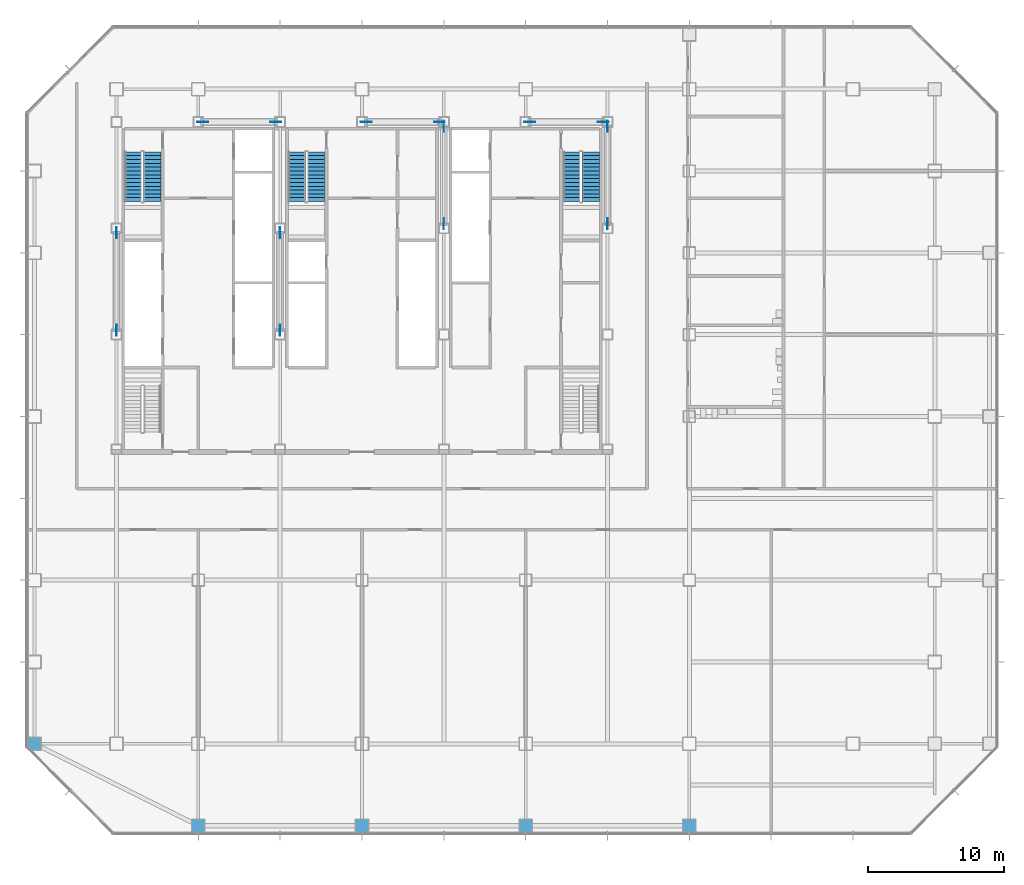
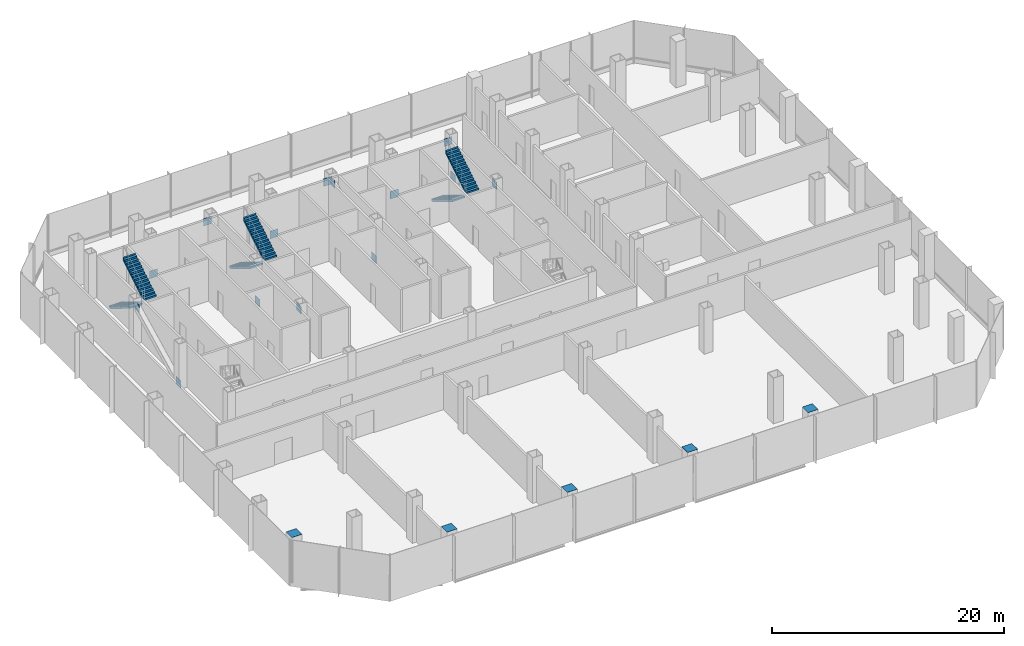
# One storey, part 26 of 34: 19 discrete accessories, 6 stair flights, 3 elements without a shape of their own.
"""IFC4 building model written with IfcOpenShell, lengths in metres."""

from ifc_helpers import new_model, si_unit, direction, frame, origin, origin_2d, place, context, subcontext, project, spatial, polyline, rectangle, outline, extrude, material, layer, layer_set, type_object, element, aggregate, save


model = new_model("IFC4")

# Units and contexts
model_context = context("Model", 3, precision=1e-05, world=origin(), true_north=direction((0.0, 1.0)))
body_context = subcontext(model_context, "Body", "Model", "MODEL_VIEW")
ifc_project = project(units=[si_unit("LENGTHUNIT", "METRE"), si_unit("AREAUNIT", "SQUARE_METRE"), si_unit("VOLUMEUNIT", "CUBIC_METRE"), si_unit("PLANEANGLEUNIT", "RADIAN"), si_unit("MASSUNIT", "GRAM", prefix="KILO")], contexts=[model_context])

# Site, building, storey
site_placement = place(None, origin())
site = spatial("IfcSite", under=ifc_project, at=site_placement, CompositionType="ELEMENT")
building_placement = place(site_placement, origin())
building = spatial("IfcBuilding", under=site, at=building_placement, Name="Sorahane Residences", CompositionType="ELEMENT")
storey_placement = place(building_placement, frame((0.0, 0.0, 39.60009765625)))
storey = spatial("IfcBuildingStorey", under=building, at=storey_placement, Name="L06", CompositionType="ELEMENT", Elevation=39.60009765625)

# Stair, stair flights
ifc_material_1 = material(Name="Concrete C40", Category="concrete")
stair_type = type_object("IfcStairType", Name="Dog-leg stair 1250 Concrete C40", PredefinedType="HALF_TURN_STAIR", material=ifc_material_1)
stair_1_placement = place(storey_placement, origin())
stair_1 = element("IfcStair", 1, at=stair_1_placement, inside=storey, type_object=stair_type, Name="L06 Stair S1", PredefinedType="HALF_TURN_STAIR")
ifc_material_2 = material(Name="Concrete C40", Category="concrete")
stair_flight_type = type_object("IfcStairFlightType", Name="Stair flight 1250 Concrete C40", PredefinedType="STRAIGHT", material=ifc_material_2)
stair_flight_1_placement = place(storey_placement, frame((7.22509765625, 43.39990234375, 0.0), z_axis=(0.0, 0.0, 1.0), x_axis=(0.0, -1.0, 0.0)))
stair_flight_1 = element("IfcStairFlight", 2, at=stair_flight_1_placement, type_object=stair_flight_type, Name="S1 flight 1", NumberOfRisers=14, NumberOfTreads=13, PredefinedType="STRAIGHT", RiserHeight=0.171428571, TreadLength=0.28, context=body_context, shape_type="SweptSolid", body=[
    extrude(outline(polyline([(-0.00146484375, 0.0), (-0.00146484375, 0.17138671875), (0.0, 0.17138671875), (0.280029296875, 0.17138671875), (0.280029296875, 0.3427734375), (0.56005859375, 0.3427734375), (0.56005859375, 0.514404296875), (0.840087890625, 0.514404296875), (0.840087890625, 0.685791015625), (1.1201171875, 0.685791015625), (1.1201171875, 0.857177734375), (1.39990234375, 0.857177734375), (1.39990234375, 1.028564453125), (1.679931640625, 1.028564453125), (1.679931640625, 1.199951171875), (1.9599609375, 1.199951171875), (1.9599609375, 1.371337890625), (2.239990234375, 1.371337890625), (2.239990234375, 1.54296875), (2.52001953125, 1.54296875), (2.52001953125, 1.71435546875), (2.800048828125, 1.71435546875), (2.800048828125, 1.8857421875), (3.080078125, 1.8857421875), (3.080078125, 2.05712890625), (3.360107421875, 2.05712890625), (3.360107421875, 2.228515625), (3.639892578125, 2.228515625), (3.639892578125, 2.39990234375), (3.639892578125, 2.052734375), (3.41650390625, 1.916015625), (3.19287109375, 1.779052734375), (2.969482421875, 1.642333984375), (2.745849609375, 1.50537109375), (2.5224609375, 1.36865234375), (2.298828125, 1.231689453125), (2.0751953125, 1.0947265625), (1.851806640625, 0.9580078125), (1.628173828125, 0.821044921875), (1.40478515625, 0.684326171875), (1.18115234375, 0.54736328125), (0.957763671875, 0.41064453125), (0.734130859375, 0.273681640625), (0.510498046875, 0.136962890625), (0.287109375, 0.0), (-0.00146484375, 0.0)])), frame((0.0, 0.625, 0.0), z_axis=(0.0, -1.0, 0.0), x_axis=(1.0, 0.0, 0.0)), (0.0, 0.0, 1.0), 1.25),
])
stair_flight_2_placement = place(storey_placement, frame((8.625, 39.760009765625, 2.39990234375), z_axis=(0.0, 0.0, 1.0), x_axis=(0.0, 1.0, 0.0)))
stair_flight_2 = element("IfcStairFlight", 3, at=stair_flight_2_placement, type_object=stair_flight_type, Name="S1 flight 2", NumberOfRisers=14, NumberOfTreads=13, PredefinedType="STRAIGHT", RiserHeight=0.171428571, TreadLength=0.28, context=body_context, shape_type="SweptSolid", body=[
    extrude(outline(polyline([(0.0, 0.0), (0.0, 0.17138671875), (0.280029296875, 0.17138671875), (0.280029296875, 0.3427734375), (0.56005859375, 0.3427734375), (0.56005859375, 0.514404296875), (0.840087890625, 0.514404296875), (0.840087890625, 0.685791015625), (1.1201171875, 0.685791015625), (1.1201171875, 0.857177734375), (1.39990234375, 0.857177734375), (1.39990234375, 1.028564453125), (1.679931640625, 1.028564453125), (1.679931640625, 1.199951171875), (1.9599609375, 1.199951171875), (1.9599609375, 1.371337890625), (2.239990234375, 1.371337890625), (2.239990234375, 1.54296875), (2.52001953125, 1.54296875), (2.52001953125, 1.71435546875), (2.800048828125, 1.71435546875), (2.800048828125, 1.8857421875), (3.080078125, 1.8857421875), (3.080078125, 2.05712890625), (3.360107421875, 2.05712890625), (3.360107421875, 2.228515625), (3.639892578125, 2.228515625), (3.639892578125, 2.39990234375), (3.6416015625, 2.39990234375), (3.6416015625, 2.052734375), (3.41796875, 1.916015625), (3.1943359375, 1.779052734375), (2.970703125, 1.642333984375), (2.7470703125, 1.50537109375), (2.5234375, 1.36865234375), (2.2998046875, 1.231689453125), (2.076171875, 1.0947265625), (1.8525390625, 0.9580078125), (1.62890625, 0.821044921875), (1.4052734375, 0.684326171875), (1.181640625, 0.54736328125), (0.9580078125, 0.41064453125), (0.734375, 0.273681640625), (0.5107421875, 0.136962890625), (0.287109375, 0.0), (0.0, 0.0)])), frame((0.0, 0.625, 0.0), z_axis=(0.0, -1.0, 0.0), x_axis=(1.0, 0.0, 0.0)), (0.0, 0.0, 1.0), 1.25),
])
aggregate(stair_1, [stair_flight_1, stair_flight_2])

stair_2_placement = place(storey_placement, origin())
stair_2 = element("IfcStair", 4, at=stair_2_placement, inside=storey, type_object=stair_type, Name="L06 Stair S2", PredefinedType="HALF_TURN_STAIR")
stair_flight_3_placement = place(storey_placement, frame((39.375, 43.39990234375, 0.0), z_axis=(0.0, 0.0, 1.0), x_axis=(0.0, -1.0, 0.0)))
stair_flight_3 = element("IfcStairFlight", 5, at=stair_flight_3_placement, type_object=stair_flight_type, Name="S2 flight 1", NumberOfRisers=14, NumberOfTreads=13, PredefinedType="STRAIGHT", RiserHeight=0.171428571, TreadLength=0.28, context=body_context, shape_type="SweptSolid", body=[
    extrude(outline(polyline([(-0.00146484375, 0.0), (-0.00146484375, 0.17138671875), (0.0, 0.17138671875), (0.280029296875, 0.17138671875), (0.280029296875, 0.3427734375), (0.56005859375, 0.3427734375), (0.56005859375, 0.514404296875), (0.840087890625, 0.514404296875), (0.840087890625, 0.685791015625), (1.1201171875, 0.685791015625), (1.1201171875, 0.857177734375), (1.39990234375, 0.857177734375), (1.39990234375, 1.028564453125), (1.679931640625, 1.028564453125), (1.679931640625, 1.199951171875), (1.9599609375, 1.199951171875), (1.9599609375, 1.371337890625), (2.239990234375, 1.371337890625), (2.239990234375, 1.54296875), (2.52001953125, 1.54296875), (2.52001953125, 1.71435546875), (2.800048828125, 1.71435546875), (2.800048828125, 1.8857421875), (3.080078125, 1.8857421875), (3.080078125, 2.05712890625), (3.360107421875, 2.05712890625), (3.360107421875, 2.228515625), (3.639892578125, 2.228515625), (3.639892578125, 2.39990234375), (3.639892578125, 2.052734375), (3.41650390625, 1.916015625), (3.19287109375, 1.779052734375), (2.969482421875, 1.642333984375), (2.745849609375, 1.50537109375), (2.5224609375, 1.36865234375), (2.298828125, 1.231689453125), (2.0751953125, 1.0947265625), (1.851806640625, 0.9580078125), (1.628173828125, 0.821044921875), (1.40478515625, 0.684326171875), (1.18115234375, 0.54736328125), (0.957763671875, 0.41064453125), (0.734130859375, 0.273681640625), (0.510498046875, 0.136962890625), (0.287109375, 0.0), (-0.00146484375, 0.0)])), frame((0.0, 0.625, 0.0), z_axis=(0.0, -1.0, 0.0), x_axis=(1.0, 0.0, 0.0)), (0.0, 0.0, 1.0), 1.25),
])
stair_flight_4_placement = place(storey_placement, frame((40.77490234375, 39.760009765625, 2.39990234375), z_axis=(0.0, 0.0, 1.0), x_axis=(0.0, 1.0, 0.0)))
stair_flight_4 = element("IfcStairFlight", 6, at=stair_flight_4_placement, type_object=stair_flight_type, Name="S2 flight 2", NumberOfRisers=14, NumberOfTreads=13, PredefinedType="STRAIGHT", RiserHeight=0.171428571, TreadLength=0.28, context=body_context, shape_type="SweptSolid", body=[
    extrude(outline(polyline([(0.0, 0.0), (0.0, 0.17138671875), (0.280029296875, 0.17138671875), (0.280029296875, 0.3427734375), (0.56005859375, 0.3427734375), (0.56005859375, 0.514404296875), (0.840087890625, 0.514404296875), (0.840087890625, 0.685791015625), (1.1201171875, 0.685791015625), (1.1201171875, 0.857177734375), (1.39990234375, 0.857177734375), (1.39990234375, 1.028564453125), (1.679931640625, 1.028564453125), (1.679931640625, 1.199951171875), (1.9599609375, 1.199951171875), (1.9599609375, 1.371337890625), (2.239990234375, 1.371337890625), (2.239990234375, 1.54296875), (2.52001953125, 1.54296875), (2.52001953125, 1.71435546875), (2.800048828125, 1.71435546875), (2.800048828125, 1.8857421875), (3.080078125, 1.8857421875), (3.080078125, 2.05712890625), (3.360107421875, 2.05712890625), (3.360107421875, 2.228515625), (3.639892578125, 2.228515625), (3.639892578125, 2.39990234375), (3.6416015625, 2.39990234375), (3.6416015625, 2.052734375), (3.41796875, 1.916015625), (3.1943359375, 1.779052734375), (2.970703125, 1.642333984375), (2.7470703125, 1.50537109375), (2.5234375, 1.36865234375), (2.2998046875, 1.231689453125), (2.076171875, 1.0947265625), (1.8525390625, 0.9580078125), (1.62890625, 0.821044921875), (1.4052734375, 0.684326171875), (1.181640625, 0.54736328125), (0.9580078125, 0.41064453125), (0.734375, 0.273681640625), (0.5107421875, 0.136962890625), (0.287109375, 0.0), (0.0, 0.0)])), frame((0.0, 0.625, 0.0), z_axis=(0.0, -1.0, 0.0), x_axis=(1.0, 0.0, 0.0)), (0.0, 0.0, 1.0), 1.25),
])
aggregate(stair_2, [stair_flight_3, stair_flight_4])

stair_3_placement = place(storey_placement, origin())
stair_3 = element("IfcStair", 7, at=stair_3_placement, inside=storey, type_object=stair_type, Name="L06 Stair S3", PredefinedType="HALF_TURN_STAIR")
stair_flight_5_placement = place(storey_placement, frame((19.22509765625, 43.39990234375, 0.0), z_axis=(0.0, 0.0, 1.0), x_axis=(0.0, -1.0, 0.0)))
stair_flight_5 = element("IfcStairFlight", 8, at=stair_flight_5_placement, type_object=stair_flight_type, Name="S3 flight 1", NumberOfRisers=14, NumberOfTreads=13, PredefinedType="STRAIGHT", RiserHeight=0.171428571, TreadLength=0.28, context=body_context, shape_type="SweptSolid", body=[
    extrude(outline(polyline([(-0.00146484375, 0.0), (-0.00146484375, 0.17138671875), (0.0, 0.17138671875), (0.280029296875, 0.17138671875), (0.280029296875, 0.3427734375), (0.56005859375, 0.3427734375), (0.56005859375, 0.514404296875), (0.840087890625, 0.514404296875), (0.840087890625, 0.685791015625), (1.1201171875, 0.685791015625), (1.1201171875, 0.857177734375), (1.39990234375, 0.857177734375), (1.39990234375, 1.028564453125), (1.679931640625, 1.028564453125), (1.679931640625, 1.199951171875), (1.9599609375, 1.199951171875), (1.9599609375, 1.371337890625), (2.239990234375, 1.371337890625), (2.239990234375, 1.54296875), (2.52001953125, 1.54296875), (2.52001953125, 1.71435546875), (2.800048828125, 1.71435546875), (2.800048828125, 1.8857421875), (3.080078125, 1.8857421875), (3.080078125, 2.05712890625), (3.360107421875, 2.05712890625), (3.360107421875, 2.228515625), (3.639892578125, 2.228515625), (3.639892578125, 2.39990234375), (3.639892578125, 2.052734375), (3.41650390625, 1.916015625), (3.19287109375, 1.779052734375), (2.969482421875, 1.642333984375), (2.745849609375, 1.50537109375), (2.5224609375, 1.36865234375), (2.298828125, 1.231689453125), (2.0751953125, 1.0947265625), (1.851806640625, 0.9580078125), (1.628173828125, 0.821044921875), (1.40478515625, 0.684326171875), (1.18115234375, 0.54736328125), (0.957763671875, 0.41064453125), (0.734130859375, 0.273681640625), (0.510498046875, 0.136962890625), (0.287109375, 0.0), (-0.00146484375, 0.0)])), frame((0.0, 0.625, 0.0), z_axis=(0.0, -1.0, 0.0), x_axis=(1.0, 0.0, 0.0)), (0.0, 0.0, 1.0), 1.25),
])
stair_flight_6_placement = place(storey_placement, frame((20.625, 39.760009765625, 2.39990234375), z_axis=(0.0, 0.0, 1.0), x_axis=(0.0, 1.0, 0.0)))
stair_flight_6 = element("IfcStairFlight", 9, at=stair_flight_6_placement, type_object=stair_flight_type, Name="S3 flight 2", NumberOfRisers=14, NumberOfTreads=13, PredefinedType="STRAIGHT", RiserHeight=0.171428571, TreadLength=0.28, context=body_context, shape_type="SweptSolid", body=[
    extrude(outline(polyline([(0.0, 0.0), (0.0, 0.17138671875), (0.280029296875, 0.17138671875), (0.280029296875, 0.3427734375), (0.56005859375, 0.3427734375), (0.56005859375, 0.514404296875), (0.840087890625, 0.514404296875), (0.840087890625, 0.685791015625), (1.1201171875, 0.685791015625), (1.1201171875, 0.857177734375), (1.39990234375, 0.857177734375), (1.39990234375, 1.028564453125), (1.679931640625, 1.028564453125), (1.679931640625, 1.199951171875), (1.9599609375, 1.199951171875), (1.9599609375, 1.371337890625), (2.239990234375, 1.371337890625), (2.239990234375, 1.54296875), (2.52001953125, 1.54296875), (2.52001953125, 1.71435546875), (2.800048828125, 1.71435546875), (2.800048828125, 1.8857421875), (3.080078125, 1.8857421875), (3.080078125, 2.05712890625), (3.360107421875, 2.05712890625), (3.360107421875, 2.228515625), (3.639892578125, 2.228515625), (3.639892578125, 2.39990234375), (3.6416015625, 2.39990234375), (3.6416015625, 2.052734375), (3.41796875, 1.916015625), (3.1943359375, 1.779052734375), (2.970703125, 1.642333984375), (2.7470703125, 1.50537109375), (2.5234375, 1.36865234375), (2.2998046875, 1.231689453125), (2.076171875, 1.0947265625), (1.8525390625, 0.9580078125), (1.62890625, 0.821044921875), (1.4052734375, 0.684326171875), (1.181640625, 0.54736328125), (0.9580078125, 0.41064453125), (0.734375, 0.273681640625), (0.5107421875, 0.136962890625), (0.287109375, 0.0), (0.0, 0.0)])), frame((0.0, 0.625, 0.0), z_axis=(0.0, -1.0, 0.0), x_axis=(1.0, 0.0, 0.0)), (0.0, 0.0, 1.0), 1.25),
])
aggregate(stair_3, [stair_flight_5, stair_flight_6])

# Discrete accessories
ifc_material_3 = material(Name="Steel Q420GJ", Category="steel")
ifc_layer_1 = layer(ifc_material_3, 0.02001953125)
ifc_layer_set_1 = layer_set([ifc_layer_1], Name="End plate Steel Q420GJ 1000x1000x20")
discrete_accessory_type_1 = type_object("IfcDiscreteAccessoryType", Name="End plate Steel Q420GJ 1000x1000x20", PredefinedType="USERDEFINED", material=ifc_layer_set_1)
for number, where, z_axis, x_axis, name in (
    (10, (0.0, 0.0, 4.7998046875), (0.0, 0.0, 1.0), (1.0, 0.0, 0.0), "End plate L06"),
    (11, (12.0, -6.0, 4.7998046875), (0.0, 0.0, 1.0), (1.0, 0.0, 0.0), "End plate L06"),
    (12, (24.0, -6.0, 4.7998046875), (0.0, 0.0, 1.0), (1.0, 0.0, 0.0), "End plate L06"),
    (13, (36.0, -6.0, 4.7998046875), (0.0, 0.0, 1.0), (1.0, 0.0, 0.0), "End plate L06"),
    (14, (48.0, -6.0, 4.7998046875), (0.0, 0.0, 1.0), (1.0, 0.0, 0.0), "End plate L06"),
):
    element("IfcDiscreteAccessory", number, at=place(storey_placement, frame(where, z_axis=z_axis, x_axis=x_axis)), inside=storey, type_object=discrete_accessory_type_1, Name=name, ObjectType="END PLATE", PredefinedType="USERDEFINED", context=body_context, shape_type="SweptSolid", body=[
        extrude(rectangle(XDim=1.0, YDim=1.0, at=origin_2d()), origin(), (0.0, 0.0, 1.0), 0.02001953125),
    ])
ifc_material_4 = material(Name="Steel Q355B", Category="steel")
ifc_layer_2 = layer(ifc_material_4, 0.02490234375)
ifc_layer_set_2 = layer_set([ifc_layer_2], Name="Node plate Steel Q355B 25")
discrete_accessory_type_2 = type_object("IfcDiscreteAccessoryType", Name="Node plate Steel Q355B 25", PredefinedType="BRACKET", material=ifc_layer_set_2)
for number, where, z_axis, x_axis, name in (
    (15, (6.0, 30.332275390625, -0.1845703125), (0.0, 0.0, 1.0), (0.0, 1.0, 0.0), "Node plate L06 br"),
    (16, (6.0, 37.4677734375, 3.43408203125), (0.0, 0.0, 1.0), (0.0, 1.0, 0.0), "Node plate L06 br"),
    (17, (18.0, 37.4677734375, -0.1845703125), (0.0, 0.0, 1.0), (0.0, 1.0, 0.0), "Node plate L06 br"),
    (18, (18.0, 30.332275390625, 3.43408203125), (0.0, 0.0, 1.0), (0.0, 1.0, 0.0), "Node plate L06 br"),
    (19, (30.0, 38.132080078125, -0.1845703125), (0.0, 0.0, 1.0), (0.0, 1.0, 0.0), "Node plate L06 br"),
    (20, (30.0, 45.267822265625, 3.43408203125), (0.0, 0.0, 1.0), (0.0, 1.0, 0.0), "Node plate L06 br"),
    (21, (42.0, 45.267822265625, -0.1845703125), (0.0, 0.0, 1.0), (0.0, 1.0, 0.0), "Node plate L06 br"),
    (22, (42.0, 38.132080078125, 3.43408203125), (0.0, 0.0, 1.0), (0.0, 1.0, 0.0), "Node plate L06 br"),
    (23, (12.3154296875, 45.60009765625, -0.2080078125), (0.0, 0.0, 1.0), (1.0, 0.0, 0.0), "Node plate L06 br"),
    (24, (24.3154296875, 45.60009765625, -0.2080078125), (0.0, 0.0, 1.0), (1.0, 0.0, 0.0), "Node plate L06 br"),
    (25, (36.3154296875, 45.60009765625, -0.2080078125), (0.0, 0.0, 1.0), (1.0, 0.0, 0.0), "Node plate L06 br"),
    (26, (17.6845703125, 45.60009765625, 3.45751953125), (0.0, 0.0, 1.0), (1.0, 0.0, 0.0), "Node plate L06 br"),
    (27, (29.6845703125, 45.60009765625, 3.45751953125), (0.0, 0.0, 1.0), (1.0, 0.0, 0.0), "Node plate L06 br"),
    (28, (41.6845703125, 45.60009765625, 3.45751953125), (0.0, 0.0, 1.0), (1.0, 0.0, 0.0), "Node plate L06 br"),
):
    element("IfcDiscreteAccessory", number, at=place(storey_placement, frame(where, z_axis=z_axis, x_axis=x_axis)), inside=storey, type_object=discrete_accessory_type_2, Name=name, PredefinedType="BRACKET", context=body_context, shape_type="SweptSolid", body=[
        extrude(rectangle(XDim=0.800048828125, YDim=0.02490234375, at=origin_2d()), origin(), (0.0, 0.0, 1.0), 0.800048828125),
    ])

save(model, "model.ifc")
